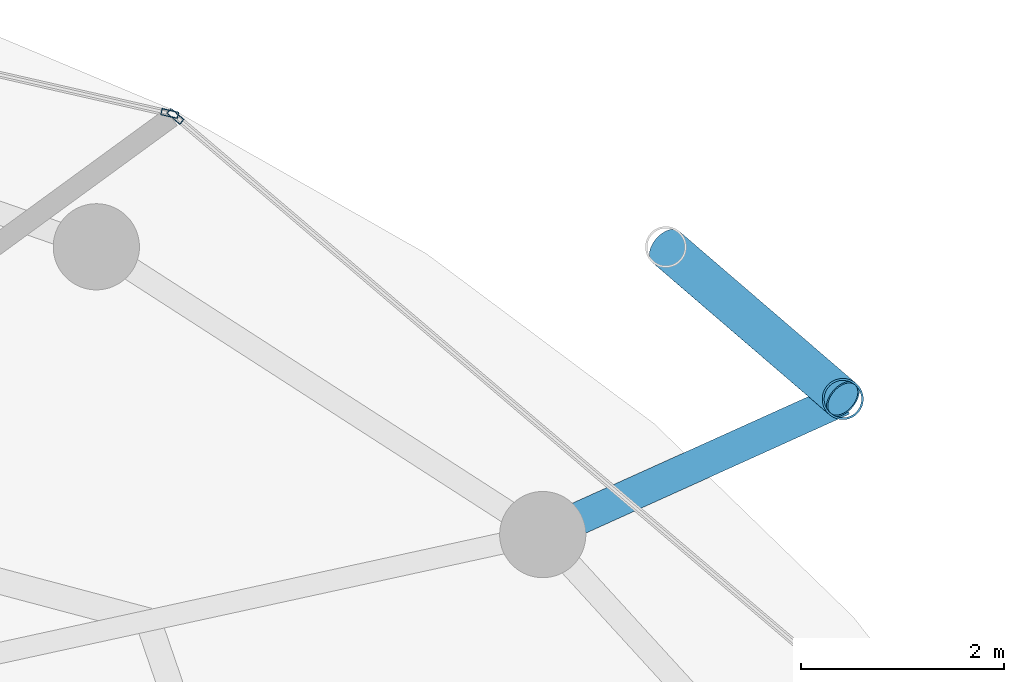
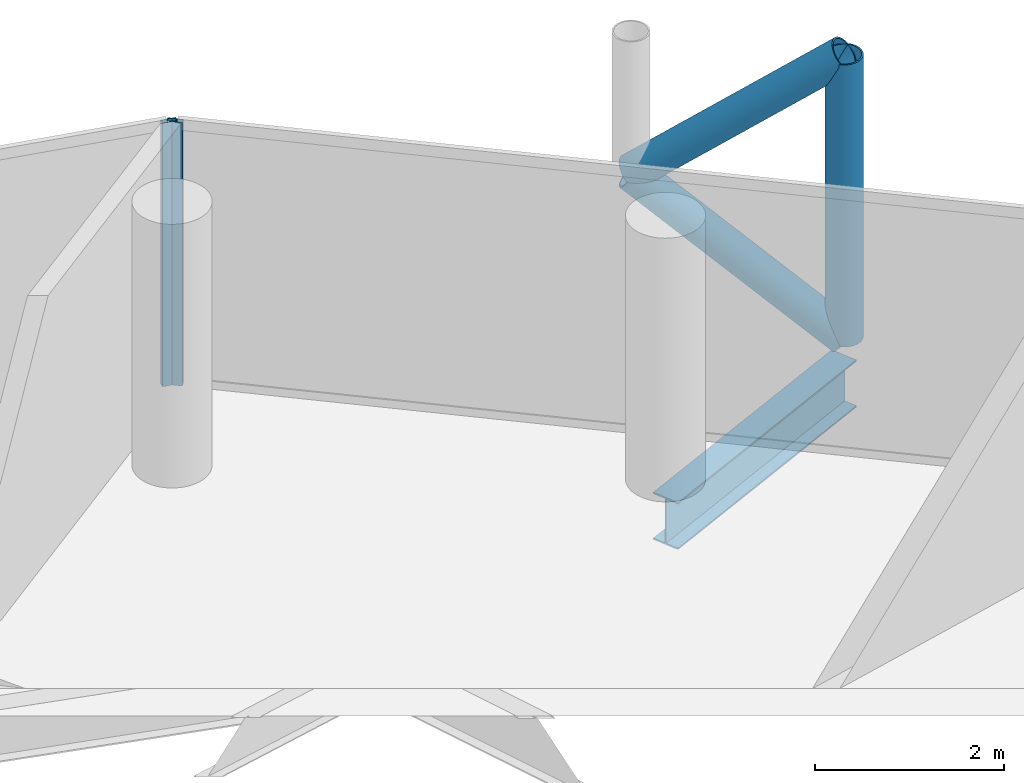
# One storey, part 21 of 27: 5 members, 1 beam, 2 elements without a shape of their own.
"""IFC4 building model written with IfcOpenShell, lengths in metres."""

from ifc_helpers import new_model, si_unit, direction, frame, origin, origin_2d, place, context, subcontext, project, spatial, hollow_rectangle, hollow_circle, i_section, extrude, material, layer, layer_set, material_profile, profile_set, type_object, element, aggregate, save


model = new_model("IFC4")

# Units and contexts
model_context = context("Model", 3, precision=1e-05, world=origin(), true_north=direction((0.0, 1.0)))
body_context = subcontext(model_context, "Body", "Model", "MODEL_VIEW")
ifc_project = project(units=[si_unit("LENGTHUNIT", "METRE"), si_unit("AREAUNIT", "SQUARE_METRE"), si_unit("VOLUMEUNIT", "CUBIC_METRE"), si_unit("PLANEANGLEUNIT", "RADIAN"), si_unit("MASSUNIT", "GRAM", prefix="KILO")], contexts=[model_context])

# Site, building, storey
site_placement = place(None, origin())
site = spatial("IfcSite", under=ifc_project, at=site_placement, CompositionType="ELEMENT")
building_placement = place(site_placement, origin())
building = spatial("IfcBuilding", under=site, at=building_placement, Name="Nuhasar Tower", CompositionType="ELEMENT")
storey_placement = place(building_placement, frame((0.0, 0.0, 226.39990234375)))
storey = spatial("IfcBuildingStorey", under=building, at=storey_placement, Name="L55", CompositionType="ELEMENT", Elevation=226.39990234375)

# Beam
ifc_material_1 = material(Name="Steel S355", Category="steel")
ifc_material_profile_1 = material_profile(ifc_material_1, i_section(OverallWidth=0.323974609375, OverallDepth=0.611083984375, WebThickness=0.0126953125, FlangeThickness=0.01904296875, at=origin_2d()), Name="W24X104")
ifc_profile_set_1 = profile_set([ifc_material_profile_1], Name="Steel S355")
beam_type = type_object("IfcBeamType", Name="BM-TIE-W24X104", PredefinedType="BEAM", material=ifc_profile_set_1)
beam_placement = place(storey_placement, frame((54.02587890625, 39.422119140625, -0.544921875), z_axis=(0.911363318082, 0.411602845538, 0.0), x_axis=(-0.411602845538, 0.911363318082, 0.0)))
element("IfcBeam", 1, at=beam_placement, inside=storey, type_object=beam_type, Name="L55 Exoskeleton Node Tie Beam 02", PredefinedType="BEAM", context=body_context, shape_type="SweptSolid", body=[
    extrude(i_section(OverallWidth=0.323974609375, OverallDepth=0.611083984375, WebThickness=0.0126953125, FlangeThickness=0.01904296875, at=origin_2d()), origin(), (0.0, 0.0, 1.0), 3.24560546875),
])

# Curtain wall, member
ifc_material_2 = material(Name="Aluminium 6063-T6", Category="aluminium")
ifc_layer = layer(ifc_material_2, 0.18994140625)
ifc_layer_set = layer_set([ifc_layer], Name="Aluminium 6063-T6")
curtain_wall_type = type_object("IfcCurtainWallType", Name="CW-Z3-RES", PredefinedType="NOTDEFINED", material=ifc_layer_set)
curtain_wall_1_placement = place(storey_placement, origin())
curtain_wall_1 = element("IfcCurtainWall", 2, at=curtain_wall_1_placement, inside=storey, type_object=curtain_wall_type, Name="L55 Unitised Curtain Wall 02", PredefinedType="NOTDEFINED")
ifc_material_profile_2 = material_profile(ifc_material_2, hollow_rectangle(XDim=0.06494140625, YDim=0.169921875, WallThickness=0.0048828125, at=origin_2d()), Name="CWM-4")
ifc_profile_set_2 = profile_set([ifc_material_profile_2], Name="Aluminium 6063-T6")
member_type_1 = type_object("IfcMemberType", Name="CW-MUL-S4", PredefinedType="MULLION", material=ifc_profile_set_2)
member_1_placement = place(storey_placement, frame((50.40478515625, 43.544921875, 0.0), z_axis=(0.0, 0.0, 1.0), x_axis=(-0.64789521578, -0.761729472562, 0.0)))
member_1 = element("IfcMember", 3, at=member_1_placement, type_object=member_type_1, Name="CW-Z3 mullion 2", PredefinedType="MULLION", context=body_context, shape_type="SweptSolid", body=[
    extrude(hollow_rectangle(XDim=0.06494140625, YDim=0.169921875, WallThickness=0.0048828125, at=origin_2d()), origin(), (0.0, 0.0, 1.0), 3.41015625),
])
aggregate(curtain_wall_1, [member_1])

curtain_wall_2_placement = place(storey_placement, origin())
curtain_wall_2 = element("IfcCurtainWall", 4, at=curtain_wall_2_placement, inside=storey, type_object=curtain_wall_type, Name="L55 Unitised Curtain Wall 03", PredefinedType="NOTDEFINED")
member_2_placement = place(storey_placement, frame((50.348388671875, 43.5732421875, 0.0), z_axis=(0.0, 0.0, 1.0), x_axis=(-0.222243176313, -0.974991266926, 0.0)))
member_2 = element("IfcMember", 5, at=member_2_placement, type_object=member_type_1, Name="CW-Z3 mullion 1", PredefinedType="MULLION", context=body_context, shape_type="SweptSolid", body=[
    extrude(hollow_rectangle(XDim=0.06494140625, YDim=0.169921875, WallThickness=0.0048828125, at=origin_2d()), origin(), (0.0, 0.0, 1.0), 3.41015625),
])
aggregate(curtain_wall_2, [member_2])

# Members
ifc_material_3 = material(Name="Steel S460", Category="steel")
ifc_material_profile_3 = material_profile(ifc_material_3, hollow_circle(Radius=0.203125, WallThickness=0.01904296875, at=origin_2d()), Name="HSS406.4X19.1")
ifc_profile_set_3 = profile_set([ifc_material_profile_3], Name="Steel S460")
member_type_2 = type_object("IfcMemberType", Name="EXO-BRONZE-406", PredefinedType="BRACE", material=ifc_profile_set_3)
member_3_placement = place(storey_placement, frame((56.98388671875, 40.758056640625, 0.0), z_axis=(0.0, 0.0, 1.0), x_axis=(1.0, 0.0, 0.0)))
element("IfcMember", 6, at=member_3_placement, inside=storey, type_object=member_type_2, Name="L55 Exoskeleton Chord Column EC-02A", PredefinedType="BRACE", context=body_context, shape_type="SweptSolid", body=[
    extrude(hollow_circle(Radius=0.203125, WallThickness=0.01904296875, at=origin_2d()), origin(), (0.0, 0.0, 1.0), 3.650146484375),
])
for number, where, z_axis, x_axis, name in (
    (7, (56.98388671875, 40.758056640625, 0.0), (-0.593987827832, 0.51058172517, 0.621678986543), (-0.65185738425, -0.758341579104, 0.0), "L55 Bronze Diagrid Brace W1-02"),
    (8, (55.239990234375, 42.257080078125, 1.8251953125), (0.594018535389, -0.510608120858, 0.621627964725), (0.65185738425, 0.758341579104, 0.0), "L55 Bronze Diagrid Brace W2-02"),
):
    element("IfcMember", number, at=place(storey_placement, frame(where, z_axis=z_axis, x_axis=x_axis)), inside=storey, type_object=member_type_2, Name=name, PredefinedType="BRACE", context=body_context, shape_type="SweptSolid", body=[
        extrude(hollow_circle(Radius=0.203125, WallThickness=0.01904296875, at=origin_2d()), origin(), (0.0, 0.0, 1.0), 2.935791015625),
    ])

save(model, "model.ifc")
